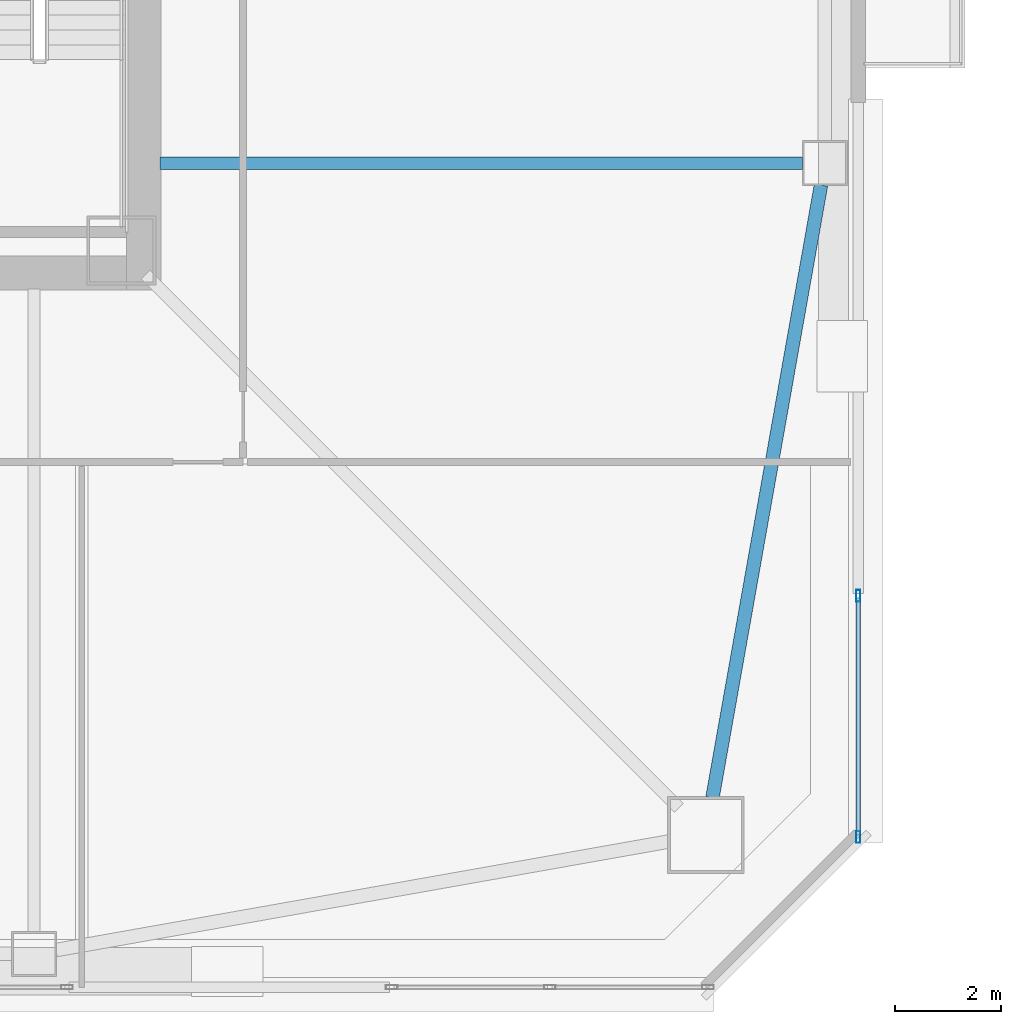
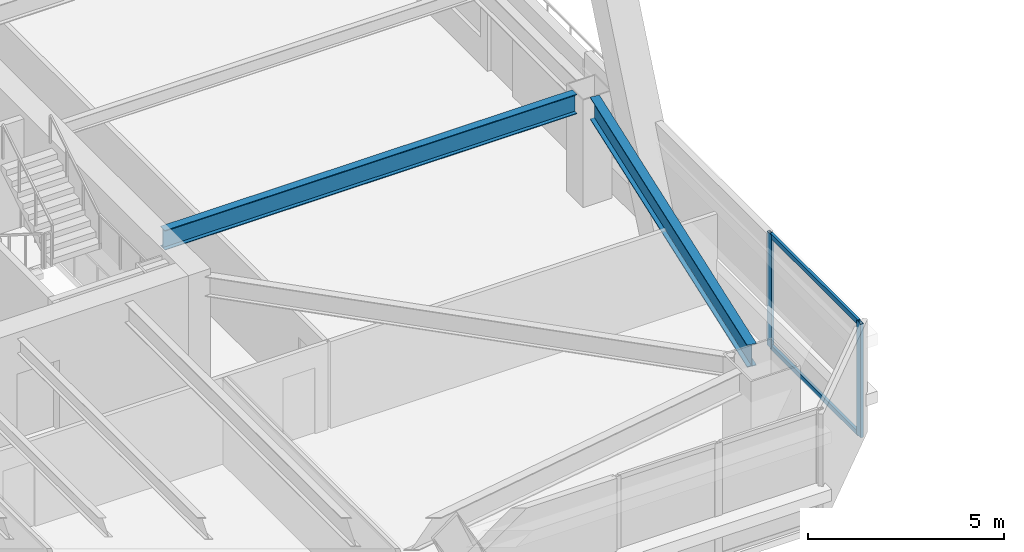
# One storey, part 13 of 54: 4 members, 2 beams, 1 element without a shape of its own.
"""IFC4 building model written with IfcOpenShell, lengths in metres."""

from ifc_helpers import new_model, si_unit, direction, frame, origin, origin_2d, place, context, subcontext, project, spatial, hollow_rectangle, i_section, extrude, material, material_profile, profile_set, type_object, element, aggregate, save


model = new_model("IFC4")

# Units and contexts
model_context = context("Model", 3, precision=1e-05, world=origin(), true_north=direction((0.0, 1.0)))
body_context = subcontext(model_context, "Body", "Model", "MODEL_VIEW")
ifc_project = project(units=[si_unit("LENGTHUNIT", "METRE"), si_unit("AREAUNIT", "SQUARE_METRE"), si_unit("VOLUMEUNIT", "CUBIC_METRE"), si_unit("PLANEANGLEUNIT", "RADIAN"), si_unit("MASSUNIT", "GRAM", prefix="KILO")], contexts=[model_context])

# Site, building, storey
site_placement = place(None, origin())
site = spatial("IfcSite", under=ifc_project, at=site_placement, CompositionType="ELEMENT")
building_placement = place(site_placement, origin())
building = spatial("IfcBuilding", under=site, at=building_placement, Name="Tashvorn Skyway Center", CompositionType="ELEMENT")
storey_placement = place(building_placement, frame((0.0, 0.0, 88.5)))
storey = spatial("IfcBuildingStorey", under=building, at=storey_placement, Name="L23", CompositionType="ELEMENT", Elevation=88.5)

# Beams
ifc_material_1 = material(Name="Steel ASTM A992 Grade 50", Category="steel")
ifc_material_profile_1 = material_profile(ifc_material_1, i_section(OverallWidth=0.22998046875, OverallDepth=0.616943359375, WebThickness=0.01318359375, FlangeThickness=0.022216796875, at=origin_2d()), Name="W24X94")
ifc_profile_set_1 = profile_set([ifc_material_profile_1], Name="Steel ASTM A992 Grade 50")
beam_type_1 = type_object("IfcBeamType", Name="BM-BEAM-W24X94", PredefinedType="BEAM", material=ifc_profile_set_1)
beam_1_placement = place(storey_placement, frame((61.929931640625, 26.60009765625, 3.04150390625), z_axis=(-1.0, 0.0, 0.0), x_axis=(0.0, -1.0, 0.0)))
element("IfcBeam", 1, at=beam_1_placement, inside=storey, type_object=beam_type_1, Name="Tower 1 L23 Primary Floor Girder FC-E1", PredefinedType="BEAM", context=body_context, shape_type="SweptSolid", body=[
    extrude(i_section(OverallWidth=0.22998046875, OverallDepth=0.616943359375, WebThickness=0.01318359375, FlangeThickness=0.022216796875, at=origin_2d()), origin(), (0.0, 0.0, 1.0), 12.14990234375),
])
ifc_material_profile_2 = material_profile(ifc_material_1, i_section(OverallWidth=0.256103515625, OverallDepth=0.693115234375, WebThickness=0.014404296875, FlangeThickness=0.023681640625, at=origin_2d()), Name="W27X114")
ifc_profile_set_2 = profile_set([ifc_material_profile_2], Name="Steel ASTM A992 Grade 50")
beam_type_2 = type_object("IfcBeamType", Name="BM-SPANDREL-W27X114", PredefinedType="SPANDREL", material=ifc_profile_set_2)
beam_2_placement = place(storey_placement, frame((60.2255859375, 14.60888671875, 3.00341796875), z_axis=(0.174437966698, 0.98466816531, 0.0), x_axis=(-0.98466816531, 0.174437966698, 0.0)))
element("IfcBeam", 2, at=beam_2_placement, inside=storey, type_object=beam_type_2, Name="Tower 1 L23 Spandrel Beam 04", PredefinedType="SPANDREL", context=body_context, shape_type="SweptSolid", body=[
    extrude(i_section(OverallWidth=0.256103515625, OverallDepth=0.693115234375, WebThickness=0.014404296875, FlangeThickness=0.023681640625, at=origin_2d()), origin(), (0.0, 0.0, 1.0), 11.7578125),
])

# Curtain wall, members
ifc_material_2 = material(Name="Thermally broken bronze-anodized aluminium 6063-T6", Category="aluminium")
curtain_wall_type = type_object("IfcCurtainWallType", Name="CW-CW-Z2", PredefinedType="NOTDEFINED", material=ifc_material_2)
curtain_wall_placement = place(storey_placement, origin())
curtain_wall = element("IfcCurtainWall", 3, at=curtain_wall_placement, inside=storey, type_object=curtain_wall_type, Name="Tower 1 L23 East Curtain Wall R Glazing Group 1", PredefinedType="NOTDEFINED")
ifc_material_profile_3 = material_profile(ifc_material_2, hollow_rectangle(XDim=0.080078125, YDim=0.219970703125, WallThickness=0.0048828125, at=origin_2d()), Name="ALU-MULL-80x220")
ifc_profile_set_3 = profile_set([ifc_material_profile_3], Name="Thermally broken bronze-anodized aluminium 6063-T6")
member_type_1 = type_object("IfcMemberType", Name="CWM-CW-Z2", PredefinedType="MULLION", material=ifc_profile_set_3)
member_1_placement = place(storey_placement, frame((62.97998046875, 18.42333984375, 0.0), z_axis=(0.0, 0.0, 1.0), x_axis=(1.0, 0.0, 0.0)))
member_1 = element("IfcMember", 4, at=member_1_placement, type_object=member_type_1, Name="CW-Z2 mullion 1", PredefinedType="MULLION", context=body_context, shape_type="SweptSolid", body=[
    extrude(hollow_rectangle(XDim=0.080078125, YDim=0.219970703125, WallThickness=0.0048828125, at=origin_2d()), origin(), (0.0, 0.0, 1.0), 3.550048828125),
])
member_2_placement = place(storey_placement, frame((62.97998046875, 13.860107421875, 0.0), z_axis=(0.0, 0.0, 1.0), x_axis=(1.0, 0.0, 0.0)))
member_2 = element("IfcMember", 5, at=member_2_placement, type_object=member_type_1, Name="CW-Z2 mullion 2", PredefinedType="MULLION", context=body_context, shape_type="SweptSolid", body=[
    extrude(hollow_rectangle(XDim=0.080078125, YDim=0.219970703125, WallThickness=0.0048828125, at=origin_2d()), origin(), (0.0, 0.0, 1.0), 3.550048828125),
])
ifc_material_profile_4 = material_profile(ifc_material_2, hollow_rectangle(XDim=0.080078125, YDim=0.14990234375, WallThickness=0.00439453125, at=origin_2d()), Name="ALU-TRAN-80x150")
ifc_profile_set_4 = profile_set([ifc_material_profile_4], Name="Thermally broken bronze-anodized aluminium 6063-T6")
member_type_2 = type_object("IfcMemberType", Name="CWT-CW-Z2", PredefinedType="USERDEFINED", material=ifc_profile_set_4)
member_3_placement = place(storey_placement, frame((62.97998046875, 18.38330078125, 0.0400390625), z_axis=(0.0, -1.0, 0.0), x_axis=(1.0, 0.0, 0.0)))
member_3 = element("IfcMember", 6, at=member_3_placement, type_object=member_type_2, Name="CW-Z2 transom 1.1", ObjectType="TRANSOM", PredefinedType="USERDEFINED", context=body_context, shape_type="SweptSolid", body=[
    extrude(hollow_rectangle(XDim=0.080078125, YDim=0.14990234375, WallThickness=0.00439453125, at=origin_2d()), origin(), (0.0, 0.0, 1.0), 4.4833984375),
])
member_4_placement = place(storey_placement, frame((62.97998046875, 18.38330078125, 3.510009765625), z_axis=(0.0, -1.0, 0.0), x_axis=(1.0, 0.0, 0.0)))
member_4 = element("IfcMember", 7, at=member_4_placement, type_object=member_type_2, Name="CW-Z2 transom 1.2", ObjectType="TRANSOM", PredefinedType="USERDEFINED", context=body_context, shape_type="SweptSolid", body=[
    extrude(hollow_rectangle(XDim=0.080078125, YDim=0.14990234375, WallThickness=0.00439453125, at=origin_2d()), origin(), (0.0, 0.0, 1.0), 4.4833984375),
])
aggregate(curtain_wall, [member_1, member_2, member_3, member_4])

save(model, "model.ifc")
